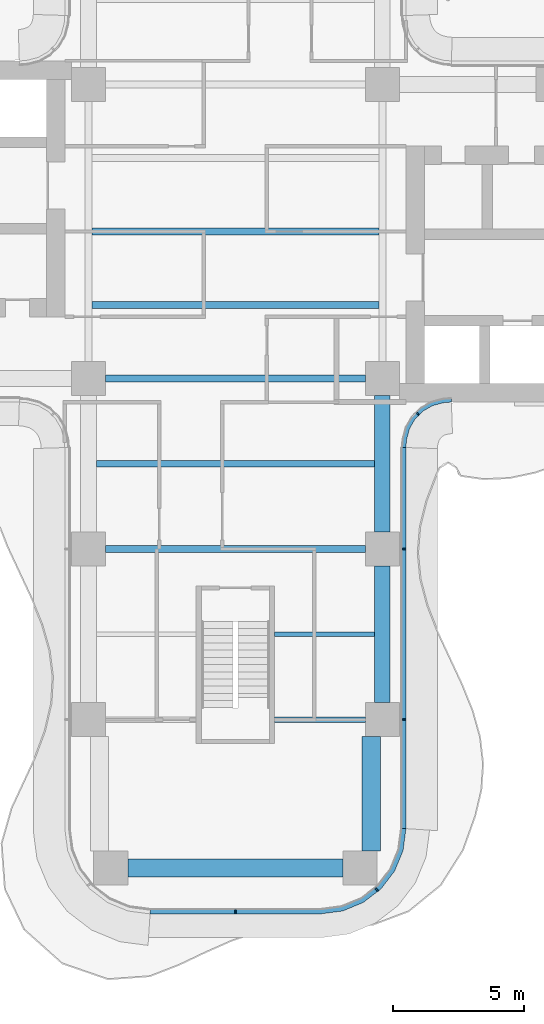
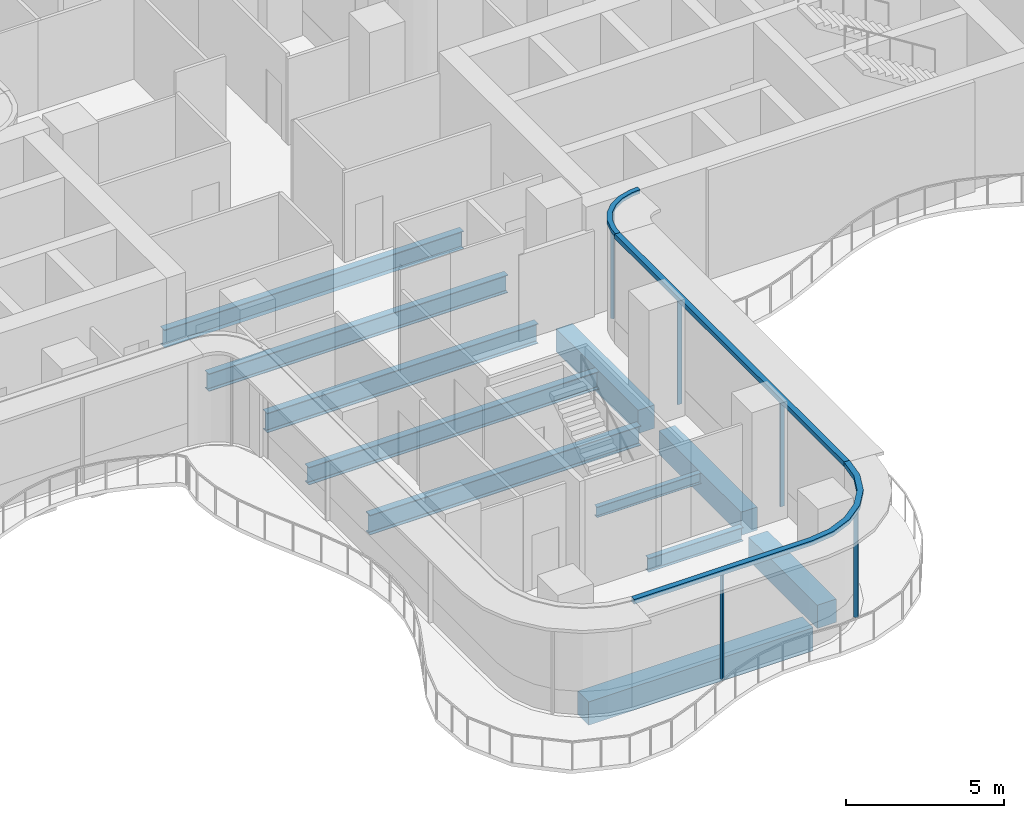
# One storey, part 5 of 20: 11 beams, 8 members, 3 elements without a shape of their own.
"""IFC4 building model written with IfcOpenShell, lengths in metres."""

from ifc_helpers import new_model, si_unit, direction, frame, origin, origin_2d, place, context, subcontext, project, spatial, polyline, rectangle, i_section, outline, extrude, source, transform, mapped, material, layer, layer_set, material_profile, profile_set, type_object, element, aggregate, save


model = new_model("IFC4")

# Units and contexts
model_context = context("Model", 3, precision=1e-05, world=origin(), true_north=direction((0.0, 1.0)))
body_context = subcontext(model_context, "Body", "Model", "MODEL_VIEW")
ifc_project = project(units=[si_unit("LENGTHUNIT", "METRE"), si_unit("AREAUNIT", "SQUARE_METRE"), si_unit("VOLUMEUNIT", "CUBIC_METRE"), si_unit("PLANEANGLEUNIT", "RADIAN"), si_unit("MASSUNIT", "GRAM", prefix="KILO")], contexts=[model_context])

# Site, building, storey
site_placement = place(None, origin())
site = spatial("IfcSite", under=ifc_project, at=site_placement, CompositionType="ELEMENT")
building_placement = place(site_placement, origin())
building = spatial("IfcBuilding", under=site, at=building_placement, Name="Trellis Farm Tower", CompositionType="ELEMENT")
storey_placement = place(building_placement, frame((0.0, 0.0, 133.5)))
storey = spatial("IfcBuildingStorey", under=building, at=storey_placement, Name="L28", CompositionType="ELEMENT", Elevation=133.5)

# Beams
ifc_material_1 = material(Name="Steel S355", Category="steel")
ifc_material_profile_1 = material_profile(ifc_material_1, i_section(OverallWidth=0.253662109375, OverallDepth=0.68359375, WebThickness=0.012451171875, FlangeThickness=0.021728515625, FilletRadius=0.01513671875, at=origin_2d()), Name="UB 686x254x140")
ifc_profile_set_1 = profile_set([ifc_material_profile_1], Name="Steel S355")
beam_type_1 = type_object("IfcBeamType", Name="UB 686x254x140 joist", PredefinedType="JOIST", material=ifc_profile_set_1)
shared_shape_1 = source(origin(), body_context, "Body", "SweptSolid", [
    extrude(i_section(OverallWidth=0.253662109375, OverallDepth=0.68359375, WebThickness=0.012451171875, FlangeThickness=0.021728515625, FilletRadius=0.01513671875, at=origin_2d()), origin(), (0.0, 0.0, 1.0), 10.93310546875),
])
for number, where, z_axis, x_axis, name in (
    (1, (-5.466552734375, -2.800048828125, -0.591796875), (1.0, 0.0, 0.0), (0.0, 1.0, 0.0), "Floor beam"),
    (2, (-5.466552734375, 0.0, -0.591796875), (1.0, 0.0, 0.0), (0.0, 1.0, 0.0), "Floor beam"),
):
    element("IfcBeam", number, at=place(storey_placement, frame(where, z_axis=z_axis, x_axis=x_axis)), inside=storey, type_object=beam_type_1, Name=name, PredefinedType="JOIST", context=body_context, shape_type="MappedRepresentation", body=[
        mapped(shared_shape_1, transform((0.0, 0.0, 0.0))),
    ])
ifc_material_profile_2 = material_profile(ifc_material_1, i_section(OverallWidth=0.177978515625, OverallDepth=0.406494140625, WebThickness=0.0078125, FlangeThickness=0.0126953125, FilletRadius=0.01025390625, at=origin_2d()), Name="UB 406x178x60")
ifc_profile_set_2 = profile_set([ifc_material_profile_2], Name="Steel S355")
beam_type_2 = type_object("IfcBeamType", Name="UB 406x178x60 joist", PredefinedType="JOIST", material=ifc_profile_set_2)
shared_shape_2 = source(origin(), body_context, "Body", "SweptSolid", [
    extrude(i_section(OverallWidth=0.177978515625, OverallDepth=0.406494140625, WebThickness=0.0078125, FlangeThickness=0.0126953125, FilletRadius=0.01025390625, at=origin_2d()), origin(), (0.0, 0.0, 1.0), 3.800048828125),
])
beam_1_placement = place(storey_placement, frame((1.5, -15.35009765625, -0.453125), z_axis=(1.0, 0.0, 0.0), x_axis=(0.0, 1.0, 0.0)))
element("IfcBeam", 3, at=beam_1_placement, inside=storey, type_object=beam_type_2, Name="Floor beam", PredefinedType="JOIST", context=body_context, shape_type="MappedRepresentation", body=[
    mapped(shared_shape_2, transform((0.0, 0.0, 0.0))),
])
shared_shape_3 = source(origin(), body_context, "Body", "SweptSolid", [
    extrude(i_section(OverallWidth=0.253662109375, OverallDepth=0.68359375, WebThickness=0.012451171875, FlangeThickness=0.021728515625, FilletRadius=0.01513671875, at=origin_2d()), origin(), (0.0, 0.0, 1.0), 10.60009765625),
])
beam_2_placement = place(storey_placement, frame((-5.300048828125, -8.85009765625, -0.591796875), z_axis=(1.0, 0.0, 0.0), x_axis=(0.0, 1.0, 0.0)))
element("IfcBeam", 4, at=beam_2_placement, inside=storey, type_object=beam_type_1, Name="Floor beam", PredefinedType="JOIST", context=body_context, shape_type="MappedRepresentation", body=[
    mapped(shared_shape_3, transform((0.0, 0.0, 0.0))),
])
ifc_material_profile_3 = material_profile(ifc_material_1, i_section(OverallWidth=0.209228515625, OverallDepth=0.533203125, WebThickness=0.010009765625, FlangeThickness=0.015625, FilletRadius=0.0126953125, at=origin_2d()), Name="UB 533x210x92")
ifc_profile_set_3 = profile_set([ifc_material_profile_3], Name="Steel S355")
beam_type_3 = type_object("IfcBeamType", Name="UB 533x210x92", PredefinedType="BEAM", material=ifc_profile_set_3)
shared_shape_4 = source(origin(), body_context, "Body", "SweptSolid", [
    extrude(i_section(OverallWidth=0.209228515625, OverallDepth=0.533203125, WebThickness=0.010009765625, FlangeThickness=0.015625, FilletRadius=0.0126953125, at=origin_2d()), origin(), (0.0, 0.0, 1.0), 3.449951171875),
])
beam_3_placement = place(storey_placement, frame((1.5, -18.60009765625, -0.5166015625), z_axis=(1.0, 0.0, 0.0), x_axis=(0.0, 1.0, 0.0)))
element("IfcBeam", 5, at=beam_3_placement, inside=storey, type_object=beam_type_3, Name="Girder", PredefinedType="BEAM", context=body_context, shape_type="MappedRepresentation", body=[
    mapped(shared_shape_4, transform((0.0, 0.0, 0.0))),
])
ifc_material_profile_4 = material_profile(ifc_material_1, i_section(OverallWidth=0.2666015625, OverallDepth=0.76220703125, WebThickness=0.014404296875, FlangeThickness=0.021484375, FilletRadius=0.0166015625, at=origin_2d()), Name="UB 762x267x173")
ifc_profile_set_4 = profile_set([ifc_material_profile_4], Name="Steel S355")
beam_type_4 = type_object("IfcBeamType", Name="UB 762x267x173", PredefinedType="BEAM", material=ifc_profile_set_4)
shared_shape_5 = source(origin(), body_context, "Body", "SweptSolid", [
    extrude(i_section(OverallWidth=0.2666015625, OverallDepth=0.76220703125, WebThickness=0.014404296875, FlangeThickness=0.021484375, FilletRadius=0.0166015625, at=origin_2d()), origin(), (0.0, 0.0, 1.0), 9.89990234375),
])
for number, where, z_axis, x_axis, name in (
    (6, (-4.949951171875, -12.10009765625, -0.631103515625), (1.0, 0.0, 0.0), (0.0, 1.0, 0.0), "Girder"),
    (7, (-4.949951171875, -5.60009765625, -0.631103515625), (1.0, 0.0, 0.0), (0.0, 1.0, 0.0), "Girder"),
):
    element("IfcBeam", number, at=place(storey_placement, frame(where, z_axis=z_axis, x_axis=x_axis)), inside=storey, type_object=beam_type_4, Name=name, PredefinedType="BEAM", context=body_context, shape_type="MappedRepresentation", body=[
        mapped(shared_shape_5, transform((0.0, 0.0, 0.0))),
    ])
ifc_material_2 = material(Name="Concrete C60/75", Category="concrete")
ifc_material_profile_5 = material_profile(ifc_material_2, rectangle(XDim=0.60009765625, YDim=0.89990234375, at=origin_2d()), Name="RC spandrel beam 600x900 C60/75")
ifc_profile_set_5 = profile_set([ifc_material_profile_5], Name="Concrete C60/75")
beam_type_5 = type_object("IfcBeamType", Name="RC spandrel beam 600x900 C60/75", PredefinedType="SPANDREL", material=ifc_profile_set_5)
shared_shape_6 = source(origin(), body_context, "Body", "SweptSolid", [
    extrude(rectangle(XDim=0.60009765625, YDim=0.89990234375, at=origin_2d()), origin(), (0.0, 0.0, 1.0), 5.199951171875),
])
for number, where, z_axis, x_axis, name in (
    (8, (5.60009765625, -17.949951171875, -0.699951171875), (0.0, 1.0, 0.0), (-1.0, 0.0, 0.0), "Girder"),
    (9, (5.60009765625, -11.449951171875, -0.699951171875), (0.0, 1.0, 0.0), (-1.0, 0.0, 0.0), "Girder"),
):
    element("IfcBeam", number, at=place(storey_placement, frame(where, z_axis=z_axis, x_axis=x_axis)), inside=storey, type_object=beam_type_5, Name=name, PredefinedType="SPANDREL", context=body_context, shape_type="MappedRepresentation", body=[
        mapped(shared_shape_6, transform((0.0, 0.0, 0.0))),
    ])
ifc_material_profile_6 = material_profile(ifc_material_2, rectangle(XDim=0.699951171875, YDim=0.89990234375, at=origin_2d()), Name="RC spandrel beam 700x900 C60/75")
ifc_profile_set_6 = profile_set([ifc_material_profile_6], Name="Concrete C60/75")
beam_type_6 = type_object("IfcBeamType", Name="RC spandrel beam 700x900 C60/75", PredefinedType="SPANDREL", material=ifc_profile_set_6)
shared_shape_7 = source(origin(), body_context, "Body", "SweptSolid", [
    extrude(rectangle(XDim=0.699951171875, YDim=0.89990234375, at=origin_2d()), origin(), (0.0, 0.0, 1.0), 4.35009765625),
])
beam_4_placement = place(storey_placement, frame((5.175048828125, -23.60009765625, -0.699951171875), z_axis=(0.0, 1.0, 0.0), x_axis=(-1.0, 0.0, 0.0)))
element("IfcBeam", 10, at=beam_4_placement, inside=storey, type_object=beam_type_6, Name="Girder", PredefinedType="SPANDREL", context=body_context, shape_type="MappedRepresentation", body=[
    mapped(shared_shape_7, transform((0.0, 0.0, 0.0))),
])
shared_shape_8 = source(origin(), body_context, "Body", "SweptSolid", [
    extrude(rectangle(XDim=0.699951171875, YDim=0.89990234375, at=origin_2d()), origin(), (0.0, 0.0, 1.0), 8.2001953125),
])
beam_5_placement = place(storey_placement, frame((-4.10009765625, -24.25, -0.699951171875), z_axis=(1.0, 0.0, 0.0), x_axis=(0.0, 1.0, 0.0)))
element("IfcBeam", 11, at=beam_5_placement, inside=storey, type_object=beam_type_6, Name="Girder", PredefinedType="SPANDREL", context=body_context, shape_type="MappedRepresentation", body=[
    mapped(shared_shape_8, transform((0.0, 0.0, 0.0))),
])

# Curtain wall, members
ifc_material_3 = material(Name="Aluminium and glass curtain wall", Category="aluminium")
ifc_layer_1 = layer(ifc_material_3, 0.18994140625)
ifc_layer_set_1 = layer_set([ifc_layer_1], Name="RIBBON CURTAIN WALL CW1")
curtain_wall_type_1 = type_object("IfcCurtainWallType", Name="RIBBON CURTAIN WALL CW1", PredefinedType="NOTDEFINED", material=ifc_layer_set_1)
placement_1 = place(storey_placement, origin())
curtain_wall_1 = element("IfcCurtainWall", 12, at=placement_1, inside=storey, type_object=curtain_wall_type_1, Name="CW1 003", PredefinedType="NOTDEFINED")
ifc_material_4 = material(Name="Aluminium extrusion 6063-T6", Category="aluminium")
ifc_material_profile_7 = material_profile(ifc_material_4, rectangle(XDim=0.06005859375, YDim=0.14990234375, at=origin_2d()), Name="MULLION 60x150")
ifc_profile_set_7 = profile_set([ifc_material_profile_7], Name="Aluminium extrusion 6063-T6")
member_type_1 = type_object("IfcMemberType", Name="CW1 MULLION 60x150", PredefinedType="MULLION", material=ifc_profile_set_7)
shared_shape_9 = source(origin(), body_context, "Body", "SweptSolid", [
    extrude(rectangle(XDim=0.06005859375, YDim=0.14990234375, at=origin_2d()), origin(), (0.0, 0.0, 1.0), 4.070068359375),
])
member_1_placement = place(storey_placement, frame((0.0, -25.925048828125, 0.0), z_axis=(0.0, 0.0, 1.0), x_axis=(1.0, 0.0, 0.0)))
member_1 = element("IfcMember", 13, at=member_1_placement, type_object=member_type_1, Name="MU1 003-01", PredefinedType="MULLION", context=body_context, shape_type="MappedRepresentation", body=[
    mapped(shared_shape_9, transform((0.0, 0.0, 0.0))),
])
member_2_placement = place(storey_placement, frame((5.385498046875, -25.078369140625, 0.0), z_axis=(0.0, 0.0, 1.0), x_axis=(0.793353340291, 0.608761429009, 0.0)))
member_2 = element("IfcMember", 14, at=member_2_placement, type_object=member_type_1, Name="MU1 003-02", PredefinedType="MULLION", context=body_context, shape_type="MappedRepresentation", body=[
    mapped(shared_shape_9, transform((0.0, 0.0, 0.0))),
])

curtain_wall_2 = element("IfcCurtainWall", 15, at=placement_1, inside=storey, type_object=curtain_wall_type_1, Name="CW1 004", PredefinedType="NOTDEFINED")
member_3_placement = place(storey_placement, frame((6.425048828125, -18.60009765625, 0.0), z_axis=(0.0, 0.0, 1.0), x_axis=(0.0, 1.0, 0.0)))
member_3 = element("IfcMember", 16, at=member_3_placement, type_object=member_type_1, Name="MU1 004-01", PredefinedType="MULLION", context=body_context, shape_type="MappedRepresentation", body=[
    mapped(shared_shape_9, transform((0.0, 0.0, 0.0))),
])
member_4_placement = place(storey_placement, frame((6.425048828125, -12.10009765625, 0.0), z_axis=(0.0, 0.0, 1.0), x_axis=(0.0, 1.0, 0.0)))
member_4 = element("IfcMember", 17, at=member_4_placement, type_object=member_type_1, Name="MU1 004-02", PredefinedType="MULLION", context=body_context, shape_type="MappedRepresentation", body=[
    mapped(shared_shape_9, transform((0.0, 0.0, 0.0))),
])

ifc_layer_2 = layer(ifc_material_3, 0.166015625)
ifc_layer_set_2 = layer_set([ifc_layer_2], Name="WINTER GARDEN CURTAIN WALL CW3")
curtain_wall_type_2 = type_object("IfcCurtainWallType", Name="WINTER GARDEN CURTAIN WALL CW3", PredefinedType="NOTDEFINED", material=ifc_layer_set_2)
curtain_wall_3 = element("IfcCurtainWall", 18, at=placement_1, inside=storey, type_object=curtain_wall_type_2, Name="CW3 002", PredefinedType="NOTDEFINED")
ifc_material_profile_8 = material_profile(ifc_material_4, rectangle(XDim=0.050048828125, YDim=0.1201171875, at=origin_2d()), Name="MULLION 50x120")
ifc_profile_set_8 = profile_set([ifc_material_profile_8], Name="Aluminium extrusion 6063-T6")
member_type_2 = type_object("IfcMemberType", Name="CW3 MULLION 50x120", PredefinedType="MULLION", material=ifc_profile_set_8)
shared_shape_10 = source(origin(), body_context, "Body", "SweptSolid", [
    extrude(rectangle(XDim=0.050048828125, YDim=0.1201171875, at=origin_2d()), origin(), (0.0, 0.0, 1.0), 4.10009765625),
])
member_5_placement = place(storey_placement, frame((6.953125, -6.953125, 0.0), z_axis=(0.0, 0.0, 1.0), x_axis=(0.707106781187, 0.707106781187, 0.0)))
member_5 = element("IfcMember", 19, at=member_5_placement, type_object=member_type_2, Name="MU3 002-01", PredefinedType="MULLION", context=body_context, shape_type="MappedRepresentation", body=[
    mapped(shared_shape_10, transform((0.0, 0.0, 0.0))),
])
ifc_layer_3 = layer(ifc_material_4, 0.169921875)
ifc_layer_set_3 = layer_set([ifc_layer_3], Name="Aluminium extrusion 6063-T6")
member_type_3 = type_object("IfcMemberType", Name="CW3 TRANSOM 170x150", PredefinedType="USERDEFINED", material=ifc_layer_set_3)
shared_shape_11 = source(origin(), body_context, "Body", "SweptSolid", [
    extrude(outline(polyline([(6.5, -8.2314453125), (6.513916015625, -8.01953125), (6.527587890625, -7.91552734375), (6.63671875, -7.508544921875), (6.846923828125, -7.144287109375), (7.144287109375, -6.846923828125), (7.508544921875, -6.63671875), (7.91552734375, -6.527587890625), (8.01953125, -6.513916015625), (8.2314453125, -6.5), (8.225830078125, -6.330078125), (8.0029296875, -6.3447265625), (7.88232421875, -6.360595703125), (7.44287109375, -6.478271484375), (7.0400390625, -6.7109375), (6.7109375, -7.0400390625), (6.478271484375, -7.44287109375), (6.360595703125, -7.88232421875), (6.3447265625, -8.0029296875), (6.330078125, -8.225830078125), (6.5, -8.2314453125)])), origin(), (0.0, 0.0, 1.0), 0.14990234375),
])
member_6_placement = place(storey_placement, frame((0.0, 0.0, 4.10009765625)))
member_6 = element("IfcMember", 20, at=member_6_placement, type_object=member_type_3, Name="TR3 002", ObjectType="TRANSOM", PredefinedType="USERDEFINED", context=body_context, shape_type="MappedRepresentation", body=[
    mapped(shared_shape_11, transform((0.0, 0.0, 0.0))),
])
aggregate(curtain_wall_3, [member_5, member_6])

# Member
ifc_layer_4 = layer(ifc_material_4, 0.199951171875)
ifc_layer_set_4 = layer_set([ifc_layer_4], Name="Aluminium extrusion 6063-T6")
member_type_4 = type_object("IfcMemberType", Name="CW1 TRANSOM 200x180", PredefinedType="USERDEFINED", material=ifc_layer_set_4)
shared_shape_12 = source(origin(), body_context, "Body", "SweptSolid", [
    extrude(outline(polyline([(6.5, -22.75), (6.5, -8.2314453125), (6.300048828125, -8.224853515625), (6.300048828125, -22.73681640625), (6.5, -22.75)])), origin(), (0.0, 0.0, 1.0), 0.179931640625),
])
placement_2 = place(storey_placement, frame((0.0, 0.0, 4.070068359375)))
member_7 = element("IfcMember", 21, at=placement_2, type_object=member_type_4, Name="TR1 004", ObjectType="TRANSOM", PredefinedType="USERDEFINED", context=body_context, shape_type="MappedRepresentation", body=[
    mapped(shared_shape_12, transform((0.0, 0.0, 0.0))),
])

aggregate(curtain_wall_2, [member_3, member_4, member_7])

shared_shape_13 = source(origin(), body_context, "Body", "SweptSolid", [
    extrude(outline(polyline([(-3.25, -26.0), (3.25, -26.0), (4.091064453125, -25.88916015625), (4.875, -25.564697265625), (5.548095703125, -25.048095703125), (6.064697265625, -24.375), (6.38916015625, -23.591064453125), (6.5, -22.75), (6.300048828125, -22.73681640625), (6.1943359375, -23.5390625), (5.889892578125, -24.274169921875), (5.405517578125, -24.905517578125), (4.774169921875, -25.389892578125), (4.0390625, -25.6943359375), (3.23681640625, -25.800048828125), (-3.23681640625, -25.800048828125), (-3.25, -26.0)])), origin(), (0.0, 0.0, 1.0), 0.179931640625),
])
member_8 = element("IfcMember", 22, at=placement_2, type_object=member_type_4, Name="TR1 003", ObjectType="TRANSOM", PredefinedType="USERDEFINED", context=body_context, shape_type="MappedRepresentation", body=[
    mapped(shared_shape_13, transform((0.0, 0.0, 0.0))),
])

aggregate(curtain_wall_1, [member_1, member_2, member_8])

save(model, "model.ifc")
